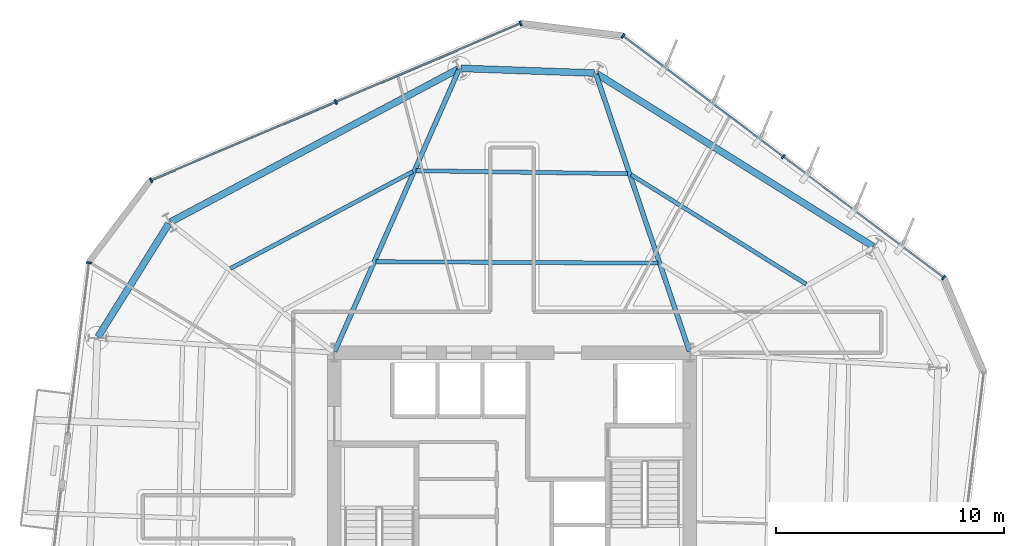
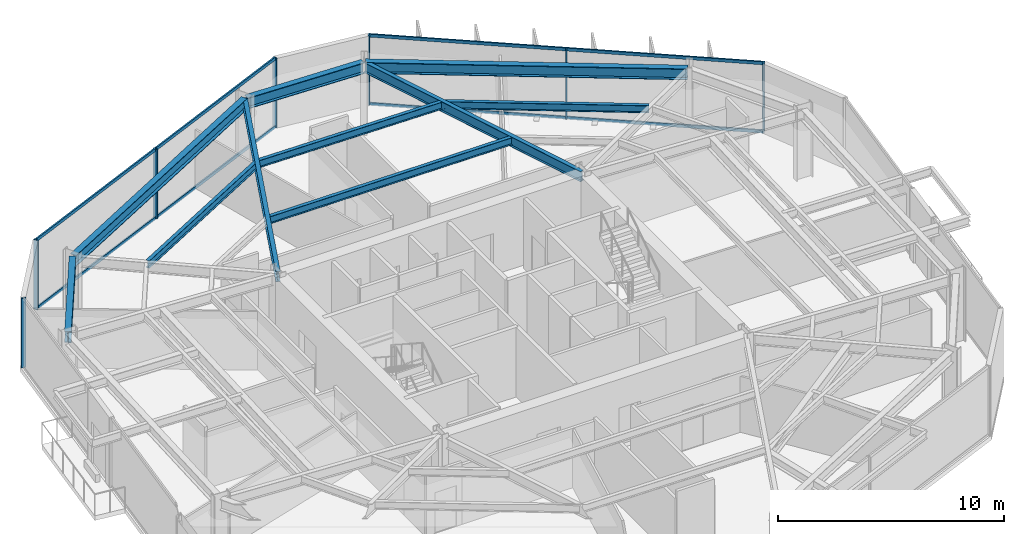
# One storey, part 5 of 11: 15 members, 10 beams, 3 elements without a shape of their own.
"""IFC4 building model written with IfcOpenShell, lengths in metres."""

from ifc_helpers import new_model, si_unit, direction, frame, origin, origin_2d, place, context, subcontext, project, spatial, rectangle, i_section, extrude, material, layer, layer_set, material_profile, profile_set, type_object, element, aggregate, save


model = new_model("IFC4")

# Units and contexts
model_context = context("Model", 3, precision=1e-05, world=origin(), true_north=direction((0.0, 1.0)))
body_context = subcontext(model_context, "Body", "Model", "MODEL_VIEW")
ifc_project = project(units=[si_unit("LENGTHUNIT", "METRE"), si_unit("AREAUNIT", "SQUARE_METRE"), si_unit("VOLUMEUNIT", "CUBIC_METRE"), si_unit("PLANEANGLEUNIT", "RADIAN"), si_unit("MASSUNIT", "GRAM", prefix="KILO")], contexts=[model_context])

# Site, building, storey
site_placement = place(None, origin())
site = spatial("IfcSite", under=ifc_project, at=site_placement, CompositionType="ELEMENT")
building_placement = place(site_placement, origin())
building = spatial("IfcBuilding", under=site, at=building_placement, Name="Kranzbogen Civic Tower", CompositionType="ELEMENT")
storey_placement = place(building_placement, frame((0.0, 0.0, 114.39990234375)))
storey = spatial("IfcBuildingStorey", under=building, at=storey_placement, Name="L27", CompositionType="ELEMENT", Elevation=114.39990234375)

# Curtain wall, members
ifc_material_1 = material(Name="Pale Anodised Aluminium", Category="aluminium")
ifc_layer = layer(ifc_material_1, 0.219970703125, Name="Pale Anodised Aluminium")
ifc_layer_set = layer_set([ifc_layer], Name="Pale Anodised Aluminium")
curtain_wall_type = type_object("IfcCurtainWallType", Name="Zone 2 Stick Curtain Wall System CW-03", PredefinedType="USERDEFINED", material=ifc_layer_set)
curtain_wall_1_placement = place(storey_placement, origin())
curtain_wall_1 = element("IfcCurtainWall", 1, at=curtain_wall_1_placement, inside=storey, type_object=curtain_wall_type, Name="L27 curtain wall CW-L27-F1", ObjectType="STICK CURTAIN WALL", PredefinedType="USERDEFINED")
ifc_material_profile_1 = material_profile(ifc_material_1, rectangle(XDim=0.074951171875, YDim=0.219970703125, at=origin_2d()), Name="ALU-M 75x220")
ifc_profile_set_1 = profile_set([ifc_material_profile_1], Name="Pale Anodised Aluminium")
member_type_1 = type_object("IfcMemberType", Name="Curtain Wall Mullion ALU-M 75x220", PredefinedType="MULLION", material=ifc_profile_set_1)
member_1_placement = place(storey_placement, frame((43.929931640625, 35.491943359375, 0.0), z_axis=(0.0, 0.0, 1.0), x_axis=(-0.7985987208, 0.601863841027, 0.0)))
member_1 = element("IfcMember", 2, at=member_1_placement, type_object=member_type_1, Name="CW-03 mullion 1", PredefinedType="MULLION", context=body_context, shape_type="SweptSolid", body=[
    extrude(rectangle(XDim=0.074951171875, YDim=0.219970703125, at=origin_2d()), origin(), (0.0, 0.0, 1.0), 3.760009765625),
])
member_2_placement = place(storey_placement, frame((36.89892578125, 40.791015625, 0.0), z_axis=(0.0, 0.0, 1.0), x_axis=(-0.7985987208, 0.601863841027, 0.0)))
member_2 = element("IfcMember", 3, at=member_2_placement, type_object=member_type_1, Name="CW-03 mullion 2", PredefinedType="MULLION", context=body_context, shape_type="SweptSolid", body=[
    extrude(rectangle(XDim=0.074951171875, YDim=0.219970703125, at=origin_2d()), origin(), (0.0, 0.0, 1.0), 3.760009765625),
])
member_3_placement = place(storey_placement, frame((29.867919921875, 46.08984375, 0.0), z_axis=(0.0, 0.0, 1.0), x_axis=(-0.7985987208, 0.601863841027, 0.0)))
member_3 = element("IfcMember", 4, at=member_3_placement, type_object=member_type_1, Name="CW-03 mullion 3", PredefinedType="MULLION", context=body_context, shape_type="SweptSolid", body=[
    extrude(rectangle(XDim=0.074951171875, YDim=0.219970703125, at=origin_2d()), origin(), (0.0, 0.0, 1.0), 3.760009765625),
])

curtain_wall_2_placement = place(storey_placement, origin())
curtain_wall_2 = element("IfcCurtainWall", 5, at=curtain_wall_2_placement, inside=storey, type_object=curtain_wall_type, Name="L27 curtain wall CW-L27-F2", ObjectType="STICK CURTAIN WALL", PredefinedType="USERDEFINED")
member_4_placement = place(storey_placement, frame((25.37841796875, 46.640380859375, 0.0), z_axis=(0.0, 0.0, 1.0), x_axis=(-0.92050961582, -0.390719908864, 0.0)))
member_4 = element("IfcMember", 6, at=member_4_placement, type_object=member_type_1, Name="CW-03 mullion 1", PredefinedType="MULLION", context=body_context, shape_type="SweptSolid", body=[
    extrude(rectangle(XDim=0.074951171875, YDim=0.219970703125, at=origin_2d()), origin(), (0.0, 0.0, 1.0), 3.760009765625),
])
member_5_placement = place(storey_placement, frame((17.2744140625, 43.200439453125, 0.0), z_axis=(0.0, 0.0, 1.0), x_axis=(-0.92050961582, -0.390719908864, 0.0)))
member_5 = element("IfcMember", 7, at=member_5_placement, type_object=member_type_1, Name="CW-03 mullion 2", PredefinedType="MULLION", context=body_context, shape_type="SweptSolid", body=[
    extrude(rectangle(XDim=0.074951171875, YDim=0.219970703125, at=origin_2d()), origin(), (0.0, 0.0, 1.0), 3.760009765625),
])
member_6_placement = place(storey_placement, frame((9.170654296875, 39.7607421875, 0.0), z_axis=(0.0, 0.0, 1.0), x_axis=(-0.92050961582, -0.390719908864, 0.0)))
member_6 = element("IfcMember", 8, at=member_6_placement, type_object=member_type_1, Name="CW-03 mullion 3", PredefinedType="MULLION", context=body_context, shape_type="SweptSolid", body=[
    extrude(rectangle(XDim=0.074951171875, YDim=0.219970703125, at=origin_2d()), origin(), (0.0, 0.0, 1.0), 3.760009765625),
])

# Curtain wall, member
curtain_wall_3_placement = place(storey_placement, origin())
curtain_wall_3 = element("IfcCurtainWall", 9, at=curtain_wall_3_placement, inside=storey, type_object=curtain_wall_type, Name="L27 curtain wall CW-L27-F3-S1", ObjectType="STICK CURTAIN WALL", PredefinedType="USERDEFINED")
member_7_placement = place(storey_placement, frame((6.4482421875, 36.148193359375, 0.0), z_axis=(0.0, 0.0, 1.0), x_axis=(-0.121809807043, -0.992553459975, 0.0)))
member_7 = element("IfcMember", 10, at=member_7_placement, type_object=member_type_1, Name="CW-03 mullion 1", PredefinedType="MULLION", context=body_context, shape_type="SweptSolid", body=[
    extrude(rectangle(XDim=0.074951171875, YDim=0.219970703125, at=origin_2d()), origin(), (0.0, 0.0, 1.0), 3.760009765625),
])
aggregate(curtain_wall_3, [member_7])

# Member
ifc_material_profile_2 = material_profile(ifc_material_1, rectangle(XDim=0.074951171875, YDim=0.1650390625, at=origin_2d()), Name="ALU-T 75x165")
ifc_profile_set_2 = profile_set([ifc_material_profile_2], Name="Pale Anodised Aluminium")
member_type_2 = type_object("IfcMemberType", Name="Curtain Wall Transom ALU-T 75x165", PredefinedType="USERDEFINED", material=ifc_profile_set_2)
member_8_placement = place(storey_placement, frame((43.906005859375, 35.510009765625, 0.030029296875), z_axis=(-0.798593995837, 0.601870110417, 0.0), x_axis=(-0.601870110417, -0.798593995837, 0.0)))
member_8 = element("IfcMember", 11, at=member_8_placement, type_object=member_type_2, Name="CW-03 transom 1.1", ObjectType="TRANSOM", PredefinedType="USERDEFINED", context=body_context, shape_type="SweptSolid", body=[
    extrude(rectangle(XDim=0.074951171875, YDim=0.1650390625, at=origin_2d()), origin(), (0.0, 0.0, 1.0), 8.744384765625),
])

member_9_placement = place(storey_placement, frame((43.906005859375, 35.510009765625, 3.72998046875), z_axis=(-0.798593995837, 0.601870110417, 0.0), x_axis=(-0.601870110417, -0.798593995837, 0.0)))
member_9 = element("IfcMember", 12, at=member_9_placement, type_object=member_type_2, Name="CW-03 transom 1.2", ObjectType="TRANSOM", PredefinedType="USERDEFINED", context=body_context, shape_type="SweptSolid", body=[
    extrude(rectangle(XDim=0.074951171875, YDim=0.1650390625, at=origin_2d()), origin(), (0.0, 0.0, 1.0), 8.744384765625),
])

member_10_placement = place(storey_placement, frame((36.875, 40.80908203125, 0.030029296875), z_axis=(-0.798607415578, 0.601852303961, 0.0), x_axis=(-0.601852303961, -0.798607415578, 0.0)))
member_10 = element("IfcMember", 13, at=member_10_placement, type_object=member_type_2, Name="CW-03 transom 2.1", ObjectType="TRANSOM", PredefinedType="USERDEFINED", context=body_context, shape_type="SweptSolid", body=[
    extrude(rectangle(XDim=0.074951171875, YDim=0.1650390625, at=origin_2d()), origin(), (0.0, 0.0, 1.0), 8.744140625),
])

member_11_placement = place(storey_placement, frame((36.875, 40.80908203125, 3.72998046875), z_axis=(-0.798607415578, 0.601852303961, 0.0), x_axis=(-0.601852303961, -0.798607415578, 0.0)))
member_11 = element("IfcMember", 14, at=member_11_placement, type_object=member_type_2, Name="CW-03 transom 2.2", ObjectType="TRANSOM", PredefinedType="USERDEFINED", context=body_context, shape_type="SweptSolid", body=[
    extrude(rectangle(XDim=0.074951171875, YDim=0.1650390625, at=origin_2d()), origin(), (0.0, 0.0, 1.0), 8.744140625),
])

aggregate(curtain_wall_1, [member_1, member_2, member_3, member_8, member_9, member_10, member_11])

member_12_placement = place(storey_placement, frame((25.350830078125, 46.628662109375, 0.030029296875), z_axis=(-0.920505714495, -0.390729099995, 0.0), x_axis=(0.390729099995, -0.920505714495, 0.0)))
member_12 = element("IfcMember", 15, at=member_12_placement, type_object=member_type_2, Name="CW-03 transom 1.1", ObjectType="TRANSOM", PredefinedType="USERDEFINED", context=body_context, shape_type="SweptSolid", body=[
    extrude(rectangle(XDim=0.074951171875, YDim=0.1650390625, at=origin_2d()), origin(), (0.0, 0.0, 1.0), 8.743896484375),
])

member_13_placement = place(storey_placement, frame((25.350830078125, 46.628662109375, 3.72998046875), z_axis=(-0.920505714495, -0.390729099995, 0.0), x_axis=(0.390729099995, -0.920505714495, 0.0)))
member_13 = element("IfcMember", 16, at=member_13_placement, type_object=member_type_2, Name="CW-03 transom 1.2", ObjectType="TRANSOM", PredefinedType="USERDEFINED", context=body_context, shape_type="SweptSolid", body=[
    extrude(rectangle(XDim=0.074951171875, YDim=0.1650390625, at=origin_2d()), origin(), (0.0, 0.0, 1.0), 8.743896484375),
])

member_14_placement = place(storey_placement, frame((17.246826171875, 43.188720703125, 0.030029296875), z_axis=(-0.920511494267, -0.39071548334, 0.0), x_axis=(0.39071548334, -0.920511494267, 0.0)))
member_14 = element("IfcMember", 17, at=member_14_placement, type_object=member_type_2, Name="CW-03 transom 2.1", ObjectType="TRANSOM", PredefinedType="USERDEFINED", context=body_context, shape_type="SweptSolid", body=[
    extrude(rectangle(XDim=0.074951171875, YDim=0.1650390625, at=origin_2d()), origin(), (0.0, 0.0, 1.0), 8.74365234375),
])

member_15_placement = place(storey_placement, frame((17.246826171875, 43.188720703125, 3.72998046875), z_axis=(-0.920511494267, -0.39071548334, 0.0), x_axis=(0.39071548334, -0.920511494267, 0.0)))
member_15 = element("IfcMember", 18, at=member_15_placement, type_object=member_type_2, Name="CW-03 transom 2.2", ObjectType="TRANSOM", PredefinedType="USERDEFINED", context=body_context, shape_type="SweptSolid", body=[
    extrude(rectangle(XDim=0.074951171875, YDim=0.1650390625, at=origin_2d()), origin(), (0.0, 0.0, 1.0), 8.74365234375),
])

aggregate(curtain_wall_2, [member_4, member_5, member_6, member_12, member_13, member_14, member_15])

# Beams
ifc_material_2 = material(Name="Steel S355", Category="steel")
ifc_material_profile_3 = material_profile(ifc_material_2, i_section(OverallWidth=0.300048828125, OverallDepth=0.60009765625, WebThickness=0.015380859375, FlangeThickness=0.030029296875, at=origin_2d()), Name="HEB 600")
ifc_profile_set_3 = profile_set([ifc_material_profile_3], Name="Steel S355")
beam_type_1 = type_object("IfcBeamType", Name="Perimeter Tube Spandrel Beam HEB 600", PredefinedType="SPANDREL", material=ifc_profile_set_3)
beam_1_placement = place(storey_placement, frame((40.8349609375, 36.861083984375, 3.460205078125), z_axis=(-0.848051101349, 0.52991445489, 0.0), x_axis=(-0.52991445489, -0.848051101349, 0.0)))
element("IfcBeam", 19, at=beam_1_placement, inside=storey, type_object=beam_type_1, Name="L27 perimeter spandrel beam 08", PredefinedType="SPANDREL", context=body_context, shape_type="SweptSolid", body=[
    extrude(i_section(OverallWidth=0.300048828125, OverallDepth=0.60009765625, WebThickness=0.015380859375, FlangeThickness=0.030029296875, at=origin_2d()), origin(), (0.0, 0.0, 1.0), 14.286865234375),
])
beam_2_placement = place(storey_placement, frame((28.60791015625, 44.466064453125, 3.460205078125), z_axis=(-0.999393148233, 0.03483296234, 0.0), x_axis=(-0.03483296234, -0.999393148233, 0.0)))
element("IfcBeam", 20, at=beam_2_placement, inside=storey, type_object=beam_type_1, Name="L27 perimeter spandrel beam 09", PredefinedType="SPANDREL", context=body_context, shape_type="SweptSolid", body=[
    extrude(i_section(OverallWidth=0.300048828125, OverallDepth=0.60009765625, WebThickness=0.015380859375, FlangeThickness=0.030029296875, at=origin_2d()), origin(), (0.0, 0.0, 1.0), 5.8525390625),
])
beam_3_placement = place(storey_placement, frame((22.64599609375, 44.64404296875, 3.460205078125), z_axis=(-0.882948194046, -0.469470432116, 0.0), x_axis=(0.469470432116, -0.882948194046, 0.0)))
element("IfcBeam", 21, at=beam_3_placement, inside=storey, type_object=beam_type_1, Name="L27 perimeter spandrel beam 10", PredefinedType="SPANDREL", context=body_context, shape_type="SweptSolid", body=[
    extrude(i_section(OverallWidth=0.300048828125, OverallDepth=0.60009765625, WebThickness=0.015380859375, FlangeThickness=0.030029296875, at=origin_2d()), origin(), (0.0, 0.0, 1.0), 14.28857421875),
])
beam_4_placement = place(storey_placement, frame((9.945068359375, 37.85693359375, 3.460205078125), z_axis=(-0.529863902903, -0.848082687242, 0.0), x_axis=(0.848082687242, -0.529863902903, 0.0)))
element("IfcBeam", 22, at=beam_4_placement, inside=storey, type_object=beam_type_1, Name="L27 perimeter spandrel beam 11", PredefinedType="SPANDREL", context=body_context, shape_type="SweptSolid", body=[
    extrude(i_section(OverallWidth=0.300048828125, OverallDepth=0.60009765625, WebThickness=0.015380859375, FlangeThickness=0.030029296875, at=origin_2d()), origin(), (0.0, 0.0, 1.0), 5.850830078125),
])
ifc_material_profile_4 = material_profile(ifc_material_2, i_section(OverallWidth=0.2099609375, OverallDepth=0.550048828125, WebThickness=0.010986328125, FlangeThickness=0.01708984375, at=origin_2d()), Name="IPE 550")
ifc_profile_set_4 = profile_set([ifc_material_profile_4], Name="Steel S355")
beam_type_2 = type_object("IfcBeamType", Name="Radial Tower Floor Girder IPE 550", PredefinedType="BEAM", material=ifc_profile_set_4)
beam_5_placement = place(storey_placement, frame((28.68701171875, 44.406982421875, 3.485107421875), z_axis=(0.319316617377, -0.947648087566, 0.0), x_axis=(0.947648087566, 0.319316617377, 0.0)))
element("IfcBeam", 23, at=beam_5_placement, inside=storey, type_object=beam_type_2, Name="L27 radial floor girder 09", PredefinedType="BEAM", context=body_context, shape_type="SweptSolid", body=[
    extrude(i_section(OverallWidth=0.2099609375, OverallDepth=0.550048828125, WebThickness=0.010986328125, FlangeThickness=0.01708984375, at=origin_2d()), origin(), (0.0, 0.0, 1.0), 12.821044921875),
])
beam_6_placement = place(storey_placement, frame((22.675048828125, 44.616943359375, 3.485107421875), z_axis=(-0.403459127705, -0.914997667905, 0.0), x_axis=(0.914997667905, -0.403459127705, 0.0)))
element("IfcBeam", 24, at=beam_6_placement, inside=storey, type_object=beam_type_2, Name="L27 radial floor girder 10", PredefinedType="BEAM", context=body_context, shape_type="SweptSolid", body=[
    extrude(i_section(OverallWidth=0.2099609375, OverallDepth=0.550048828125, WebThickness=0.010986328125, FlangeThickness=0.01708984375, at=origin_2d()), origin(), (0.0, 0.0, 1.0), 13.510498046875),
])
ifc_material_profile_5 = material_profile(ifc_material_2, i_section(OverallWidth=0.179931640625, OverallDepth=0.39990234375, WebThickness=0.008544921875, FlangeThickness=0.013427734375, at=origin_2d()), Name="IPE 400")
ifc_profile_set_5 = profile_set([ifc_material_profile_5], Name="Steel S355")
beam_type_3 = type_object("IfcBeamType", Name="Secondary Composite Floor Joist IPE 400", PredefinedType="JOIST", material=ifc_profile_set_5)
beam_7_placement = place(storey_placement, frame((37.906982421875, 35.205078125, 3.56005859375), z_axis=(-0.848025549308, 0.529955345026, 0.0), x_axis=(-0.529955345026, -0.848025549308, 0.0)))
element("IfcBeam", 25, at=beam_7_placement, inside=storey, type_object=beam_type_3, Name="L27 secondary floor joist 1.08", PredefinedType="JOIST", context=body_context, shape_type="SweptSolid", body=[
    extrude(i_section(OverallWidth=0.179931640625, OverallDepth=0.39990234375, WebThickness=0.008544921875, FlangeThickness=0.013427734375, at=origin_2d()), origin(), (0.0, 0.0, 1.0), 9.06103515625),
])
beam_8_placement = place(storey_placement, frame((30.075927734375, 40.050048828125, 3.56005859375), z_axis=(-0.999900525148, 0.014104602386, 0.0), x_axis=(-0.014104602386, -0.999900525148, 0.0)))
element("IfcBeam", 26, at=beam_8_placement, inside=storey, type_object=beam_type_3, Name="L27 secondary floor joist 1.09", PredefinedType="JOIST", context=body_context, shape_type="SweptSolid", body=[
    extrude(i_section(OverallWidth=0.179931640625, OverallDepth=0.39990234375, WebThickness=0.008544921875, FlangeThickness=0.013427734375, at=origin_2d()), origin(), (0.0, 0.0, 1.0), 9.27783203125),
])
beam_9_placement = place(storey_placement, frame((31.39794921875, 36.125, 3.56005859375), z_axis=(-0.999985774147, 0.005333995002, 0.0), x_axis=(-0.005333995002, -0.999985774147, 0.0)))
element("IfcBeam", 27, at=beam_9_placement, inside=storey, type_object=beam_type_3, Name="L27 secondary floor joist 2.09", PredefinedType="JOIST", context=body_context, shape_type="SweptSolid", body=[
    extrude(i_section(OverallWidth=0.179931640625, OverallDepth=0.39990234375, WebThickness=0.008544921875, FlangeThickness=0.013427734375, at=origin_2d()), origin(), (0.0, 0.0, 1.0), 12.358154296875),
])
beam_10_placement = place(storey_placement, frame((20.64892578125, 40.14501953125, 3.56005859375), z_axis=(-0.882960787661, -0.469446746131, 0.0), x_axis=(0.469446746131, -0.882960787661, 0.0)))
element("IfcBeam", 28, at=beam_10_placement, inside=storey, type_object=beam_type_3, Name="L27 secondary floor joist 1.10", PredefinedType="JOIST", context=body_context, shape_type="SweptSolid", body=[
    extrude(i_section(OverallWidth=0.179931640625, OverallDepth=0.39990234375, WebThickness=0.008544921875, FlangeThickness=0.013427734375, at=origin_2d()), origin(), (0.0, 0.0, 1.0), 9.0615234375),
])

save(model, "model.ifc")
